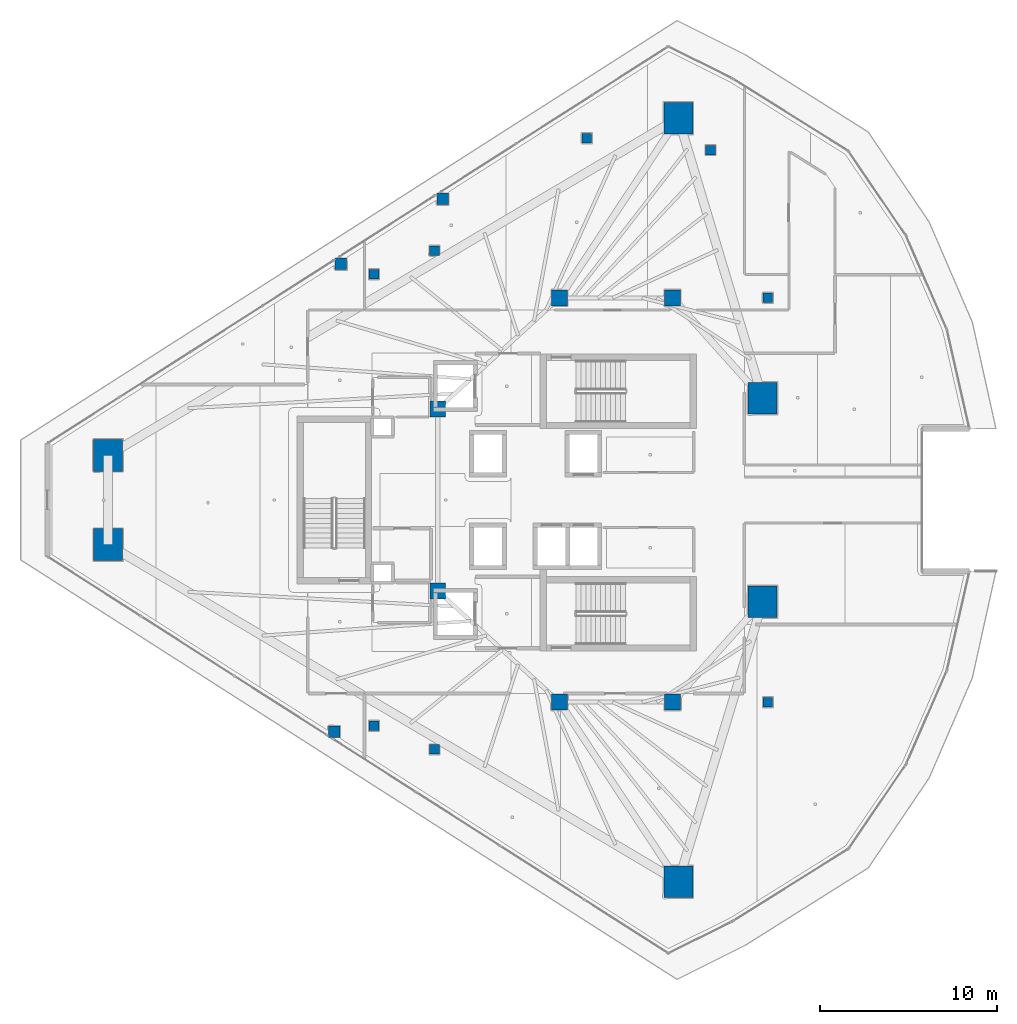
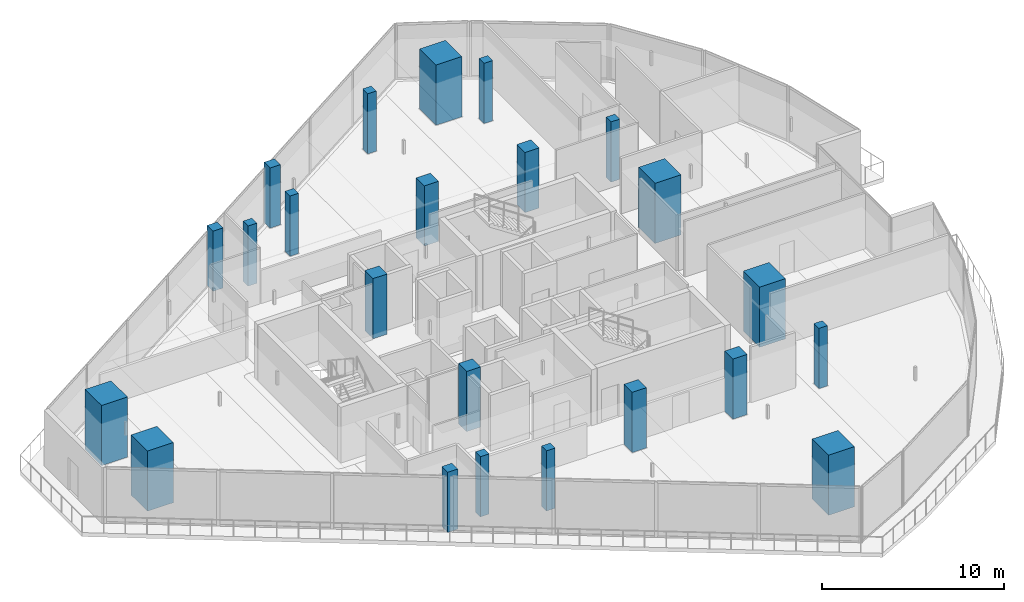
# One storey, part 1 of 34: 23 columns.
"""IFC4 building model written with IfcOpenShell, lengths in metres."""

from ifc_helpers import new_model, si_unit, direction, frame, origin, origin_2d, place, context, subcontext, project, spatial, rectangle, extrude, material, material_profile, profile_set, type_object, element, save


model = new_model("IFC4")

# Units and contexts
model_context = context("Model", 3, precision=1e-05, world=origin(), true_north=direction((0.0, 1.0)))
body_context = subcontext(model_context, "Body", "Model", "MODEL_VIEW")
ifc_project = project(units=[si_unit("LENGTHUNIT", "METRE"), si_unit("AREAUNIT", "SQUARE_METRE"), si_unit("VOLUMEUNIT", "CUBIC_METRE"), si_unit("PLANEANGLEUNIT", "RADIAN"), si_unit("MASSUNIT", "GRAM", prefix="KILO")], contexts=[model_context])

# Site, building, storey
site_placement = place(None, origin())
site = spatial("IfcSite", under=ifc_project, at=site_placement, CompositionType="ELEMENT")
building_placement = place(site_placement, origin())
building = spatial("IfcBuilding", under=site, at=building_placement, Name="Qorvath Tower", CompositionType="ELEMENT")
storey_placement = place(building_placement, frame((0.0, 0.0, 245.550048828125)))
storey = spatial("IfcBuildingStorey", under=building, at=storey_placement, Name="L57", CompositionType="ELEMENT", Elevation=245.550048828125)

# Columns
ifc_material_1 = material(Name="Concrete C60/75", Category="concrete")
ifc_material_profile_1 = material_profile(ifc_material_1, rectangle(XDim=1.64990234375, YDim=1.800048828125, at=origin_2d()), Name="MC 1800x1650")
ifc_profile_set_1 = profile_set([ifc_material_profile_1], Name="Concrete C60/75")
column_type_1 = type_object("IfcColumnType", Name="COL-MC4", PredefinedType="COLUMN", material=ifc_profile_set_1)
for number, where, z_axis, x_axis, name in (
    (1, (-49.171875, 2.52783203125, 0.0), (0.0, 0.0, 1.0), (1.0, 0.0, 0.0), "Composite Mega-Column MC1 L57"),
    (2, (-49.171875, -2.52783203125, 0.0), (0.0, 0.0, 1.0), (1.0, 0.0, 0.0), "Composite Mega-Column MC2 L57"),
    (3, (-16.87158203125, -21.627197265625, 0.0), (0.0, 0.0, 1.0), (1.0, 0.0, 0.0), "Composite Mega-Column MC3 L57"),
    (4, (-12.0966796875, -5.7578125, 0.0), (0.0, 0.0, 1.0), (1.0, 0.0, 0.0), "Composite Mega-Column MC4 L57"),
    (5, (-12.0966796875, 5.7578125, 0.0), (0.0, 0.0, 1.0), (1.0, 0.0, 0.0), "Composite Mega-Column MC5 L57"),
    (6, (-16.87158203125, 21.627197265625, 0.0), (0.0, 0.0, 1.0), (1.0, 0.0, 0.0), "Composite Mega-Column MC6 L57"),
):
    element("IfcColumn", number, at=place(storey_placement, frame(where, z_axis=z_axis, x_axis=x_axis)), inside=storey, type_object=column_type_1, Name=name, PredefinedType="COLUMN", context=body_context, shape_type="SweptSolid", body=[
        extrude(rectangle(XDim=1.64990234375, YDim=1.800048828125, at=origin_2d()), origin(), (0.0, 0.0, 1.0), 4.050048828125),
    ])
ifc_material_2 = material(Name="Concrete C50/60", Category="concrete")
ifc_material_profile_2 = material_profile(ifc_material_2, rectangle(XDim=0.89990234375, YDim=0.89990234375, at=origin_2d()), Name="RC 900x900")
ifc_profile_set_2 = profile_set([ifc_material_profile_2], Name="Concrete C50/60")
column_type_2 = type_object("IfcColumnType", Name="COL-RC3", PredefinedType="COLUMN", material=ifc_profile_set_2)
for number, where, z_axis, x_axis, name in (
    (7, (-23.60009765625, 11.449951171875, 0.0), (0.0, 0.0, 1.0), (1.0, 0.0, 0.0), "Core Spine Column CC1 L57"),
    (8, (-17.199951171875, 11.449951171875, 0.0), (0.0, 0.0, 1.0), (1.0, 0.0, 0.0), "Core Spine Column CC2 L57"),
    (9, (-17.199951171875, -11.449951171875, 0.0), (0.0, 0.0, 1.0), (1.0, 0.0, 0.0), "Core Spine Column CC3 L57"),
    (10, (-23.60009765625, -11.449951171875, 0.0), (0.0, 0.0, 1.0), (1.0, 0.0, 0.0), "Core Spine Column CC4 L57"),
    (11, (-30.5, 5.14990234375, 0.0), (0.0, 0.0, 1.0), (1.0, 0.0, 0.0), "Core Spine Column CC5 L57"),
    (12, (-30.5, -5.14990234375, 0.0), (0.0, 0.0, 1.0), (1.0, 0.0, 0.0), "Core Spine Column CC6 L57"),
):
    element("IfcColumn", number, at=place(storey_placement, frame(where, z_axis=z_axis, x_axis=x_axis)), inside=storey, type_object=column_type_2, Name=name, PredefinedType="COLUMN", context=body_context, shape_type="SweptSolid", body=[
        extrude(rectangle(XDim=0.89990234375, YDim=0.89990234375, at=origin_2d()), origin(), (0.0, 0.0, 1.0), 4.050048828125),
    ])
ifc_material_3 = material(Name="Concrete C45/55", Category="concrete")
ifc_material_profile_3 = material_profile(ifc_material_3, rectangle(XDim=0.64990234375, YDim=0.64990234375, at=origin_2d()), Name="RC 650x650")
ifc_profile_set_3 = profile_set([ifc_material_profile_3], Name="Concrete C45/55")
column_type_3 = type_object("IfcColumnType", Name="COL-RC6", PredefinedType="COLUMN", material=ifc_profile_set_3)
for number, where, z_axis, x_axis, name in (
    (13, (-35.980712890625, 13.380859375, 0.0), (0.0, 0.0, 1.0), (1.0, 0.0, 0.0), "Loggia Frame Pier Column LGF1 L57"),
    (14, (-36.36474609375, -13.135498046875, 0.0), (0.0, 0.0, 1.0), (1.0, 0.0, 0.0), "Loggia Frame Pier Column LGF2 L57"),
    (15, (-30.224853515625, 17.0595703125, 0.0), (0.0, 0.0, 1.0), (1.0, 0.0, 0.0), "Loggia Frame Pier Column LGF3 L57"),
):
    element("IfcColumn", number, at=place(storey_placement, frame(where, z_axis=z_axis, x_axis=x_axis)), inside=storey, type_object=column_type_3, Name=name, PredefinedType="COLUMN", context=body_context, shape_type="SweptSolid", body=[
        extrude(rectangle(XDim=0.64990234375, YDim=0.64990234375, at=origin_2d()), origin(), (0.0, 0.0, 1.0), 4.050048828125),
    ])
ifc_material_4 = material(Name="Concrete C45/55", Category="concrete")
ifc_material_profile_4 = material_profile(ifc_material_4, rectangle(XDim=0.550048828125, YDim=0.550048828125, at=origin_2d()), Name="RC 550x550")
ifc_profile_set_4 = profile_set([ifc_material_profile_4], Name="Concrete C45/55")
column_type_4 = type_object("IfcColumnType", Name="COL-RC7", PredefinedType="COLUMN", material=ifc_profile_set_4)
for number, where, z_axis, x_axis, name in (
    (16, (-34.104248046875, 12.79248046875, 0.0), (0.0, 0.0, 1.0), (1.0, 0.0, 0.0), "Loggia Frame Pier Column LGG1 L57"),
    (17, (-34.104248046875, -12.79248046875, 0.0), (0.0, 0.0, 1.0), (1.0, 0.0, 0.0), "Loggia Frame Pier Column LGG2 L57"),
    (18, (-22.05322265625, 20.494873046875, 0.0), (0.0, 0.0, 1.0), (1.0, 0.0, 0.0), "Loggia Frame Pier Column LGG3 L57"),
    (19, (-30.67724609375, 14.124267578125, 0.0), (0.0, 0.0, 1.0), (1.0, 0.0, 0.0), "Loggia Frame Pier Column LGH1 L57"),
    (20, (-30.67724609375, -14.124267578125, 0.0), (0.0, 0.0, 1.0), (1.0, 0.0, 0.0), "Loggia Frame Pier Column LGH2 L57"),
    (21, (-15.046142578125, 19.818115234375, 0.0), (0.0, 0.0, 1.0), (1.0, 0.0, 0.0), "Loggia Frame Pier Column LGH3 L57"),
    (22, (-11.800048828125, -11.449951171875, 0.0), (0.0, 0.0, 1.0), (1.0, 0.0, 0.0), "Central Slot Jamb Column SC1 L57"),
    (23, (-11.800048828125, 11.449951171875, 0.0), (0.0, 0.0, 1.0), (1.0, 0.0, 0.0), "Central Slot Jamb Column SC2 L57"),
):
    element("IfcColumn", number, at=place(storey_placement, frame(where, z_axis=z_axis, x_axis=x_axis)), inside=storey, type_object=column_type_4, Name=name, PredefinedType="COLUMN", context=body_context, shape_type="SweptSolid", body=[
        extrude(rectangle(XDim=0.550048828125, YDim=0.550048828125, at=origin_2d()), origin(), (0.0, 0.0, 1.0), 4.050048828125),
    ])

save(model, "model.ifc")
